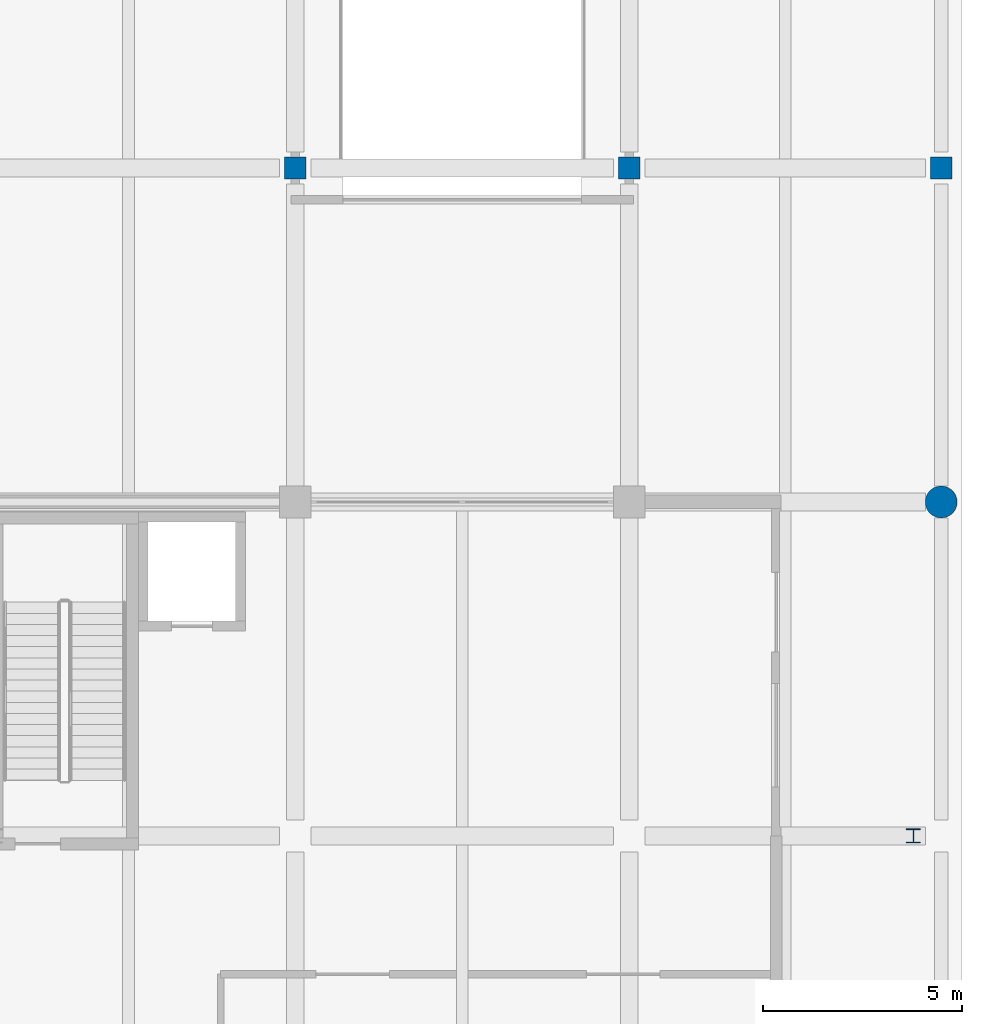
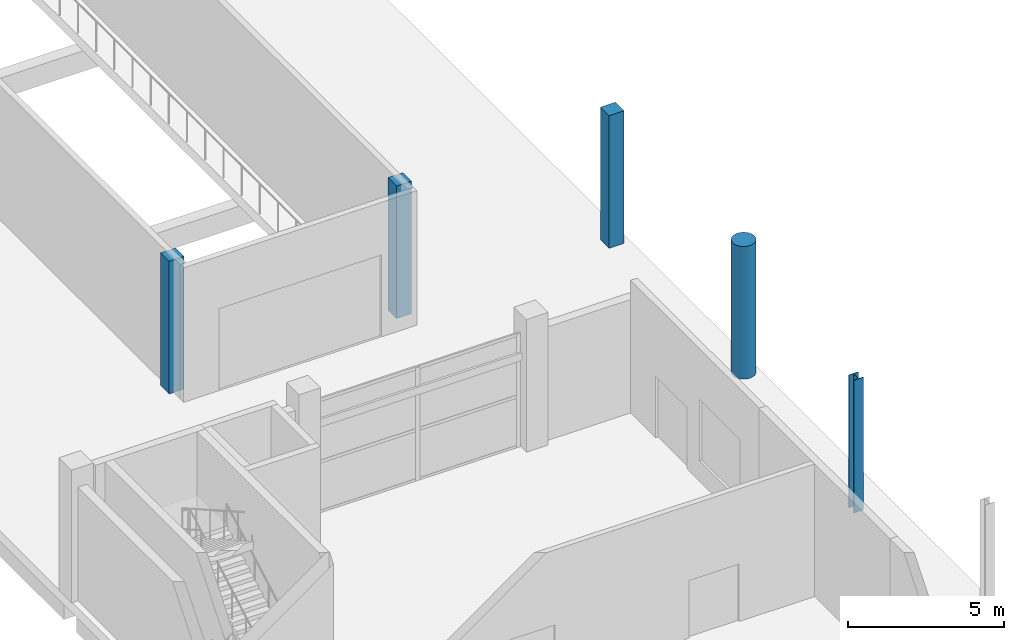
# One storey, part 3 of 34: 5 columns.
"""IFC4 building model written with IfcOpenShell, lengths in metres."""

from ifc_helpers import new_model, si_unit, direction, frame, origin, origin_2d, place, context, subcontext, project, spatial, rectangle, circle, i_section, extrude, material, material_profile, profile_set, type_object, element, save


model = new_model("IFC4")

# Units and contexts
model_context = context("Model", 3, precision=1e-05, world=origin(), true_north=direction((0.0, 1.0)))
body_context = subcontext(model_context, "Body", "Model", "MODEL_VIEW")
ifc_project = project(units=[si_unit("LENGTHUNIT", "METRE"), si_unit("AREAUNIT", "SQUARE_METRE"), si_unit("VOLUMEUNIT", "CUBIC_METRE"), si_unit("PLANEANGLEUNIT", "RADIAN"), si_unit("MASSUNIT", "GRAM", prefix="KILO")], contexts=[model_context])

# Site, building, storey
site_placement = place(None, origin())
site = spatial("IfcSite", under=ifc_project, at=site_placement, CompositionType="ELEMENT")
building_placement = place(site_placement, origin())
building = spatial("IfcBuilding", under=site, at=building_placement, Name="Brinegate Botanical Conservatory", CompositionType="ELEMENT")
storey_placement = place(building_placement, origin())
storey = spatial("IfcBuildingStorey", under=building, at=storey_placement, Name="L01", CompositionType="ELEMENT", Elevation=0.0)

# Columns
ifc_material_1 = material(Name="Concrete C40/50", Category="concrete")
ifc_material_profile_1 = material_profile(ifc_material_1, circle(Radius=0.39990234375, at=origin_2d()), Name="RC COL D800")
ifc_profile_set_1 = profile_set([ifc_material_profile_1], Name="Concrete C40/50")
column_type_1 = type_object("IfcColumnType", Name="Col_C-QL", PredefinedType="COLUMN", material=ifc_profile_set_1)
column_1_placement = place(storey_placement, frame((163.449951171875, 42.0, 0.0), z_axis=(0.0, 0.0, 1.0), x_axis=(1.0, 0.0, 0.0)))
element("IfcColumn", 1, at=column_1_placement, inside=storey, type_object=column_type_1, Name="Column C-QL L01 F-21", PredefinedType="COLUMN", context=body_context, shape_type="SweptSolid", body=[
    extrude(circle(Radius=0.39990234375, at=origin_2d()), origin(), (0.0, 0.0, 1.0), 5.179931640625),
])
ifc_material_2 = material(Name="Structural steel Q355B / S355", Category="steel")
ifc_material_profile_2 = material_profile(ifc_material_2, i_section(OverallWidth=0.35009765625, OverallDepth=0.35009765625, WebThickness=0.011962890625, FlangeThickness=0.01904296875, at=origin_2d()), Name="HW 350x350x12x19")
ifc_profile_set_2 = profile_set([ifc_material_profile_2], Name="Structural steel Q355B / S355")
column_type_2 = type_object("IfcColumnType", Name="Col_C-S1", PredefinedType="COLUMN", material=ifc_profile_set_2)
column_2_placement = place(storey_placement, frame((162.75, 33.60009765625, 0.0), z_axis=(0.0, 0.0, 1.0), x_axis=(1.0, 0.0, 0.0)))
element("IfcColumn", 2, at=column_2_placement, inside=storey, type_object=column_type_2, Name="Auditorium truss bearing column E4 L01", PredefinedType="COLUMN", context=body_context, shape_type="SweptSolid", body=[
    extrude(i_section(OverallWidth=0.35009765625, OverallDepth=0.35009765625, WebThickness=0.011962890625, FlangeThickness=0.01904296875, at=origin_2d()), origin(), (0.0, 0.0, 1.0), 5.179931640625),
])
ifc_material_profile_3 = material_profile(ifc_material_1, rectangle(XDim=0.550048828125, YDim=0.550048828125, at=origin_2d()), Name="RC COL 550x550")
ifc_profile_set_3 = profile_set([ifc_material_profile_3], Name="Concrete C40/50")
column_type_3 = type_object("IfcColumnType", Name="Col_C-W3", PredefinedType="COLUMN", material=ifc_profile_set_3)
for number, where, z_axis, x_axis, name in (
    (3, (147.199951171875, 50.39990234375, 0.0), (0.0, 0.0, 1.0), (1.0, 0.0, 0.0), "Column C-W3 L01 G-19"),
    (4, (155.60009765625, 50.39990234375, 0.0), (0.0, 0.0, 1.0), (1.0, 0.0, 0.0), "Column C-W3 L01 G-20"),
    (5, (163.449951171875, 50.39990234375, 0.0), (0.0, 0.0, 1.0), (1.0, 0.0, 0.0), "Column C-W3 L01 G-21"),
):
    element("IfcColumn", number, at=place(storey_placement, frame(where, z_axis=z_axis, x_axis=x_axis)), inside=storey, type_object=column_type_3, Name=name, PredefinedType="COLUMN", context=body_context, shape_type="SweptSolid", body=[
        extrude(rectangle(XDim=0.550048828125, YDim=0.550048828125, at=origin_2d()), origin(), (0.0, 0.0, 1.0), 5.179931640625),
    ])

save(model, "model.ifc")
